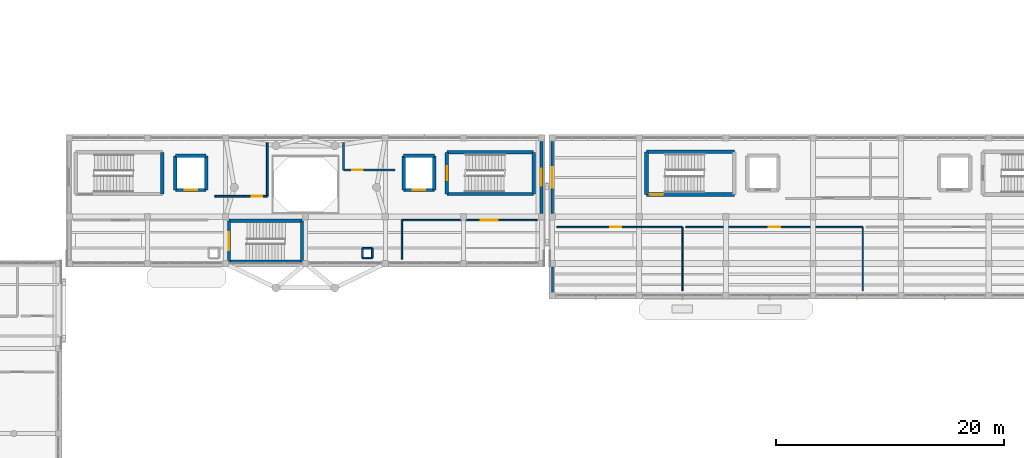
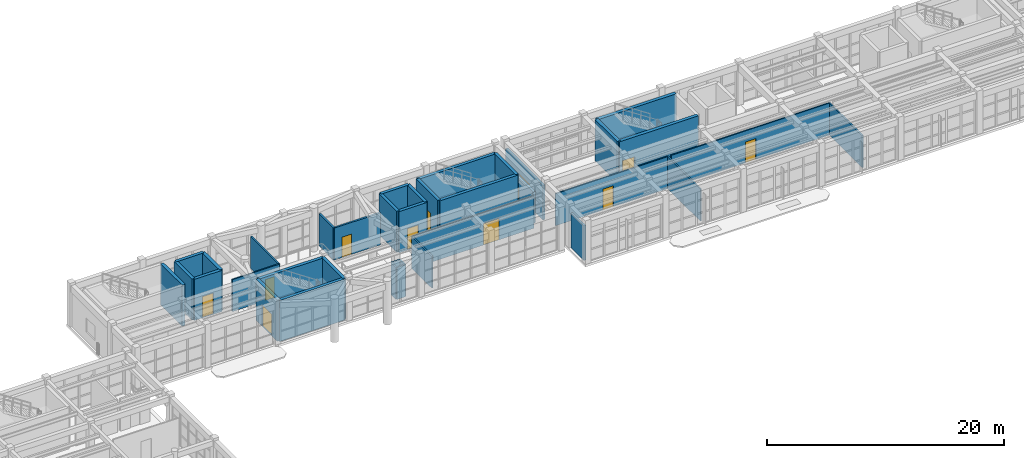
# One storey, part 69 of 85: 37 walls, 10 doors, 2 windows, 12 openings.
"""IFC4 building model written with IfcOpenShell, lengths in metres."""

from ifc_helpers import new_model, si_unit, direction, frame, frame_2d, origin, place, context, subcontext, project, spatial, rectangle, extrude, material, layer, layer_set, type_object, element, fill, save


model = new_model("IFC4")

# Units and contexts
model_context = context("Model", 3, precision=1e-05, world=origin(), true_north=direction((0.0, 1.0)))
body_context = subcontext(model_context, "Body", "Model", "MODEL_VIEW")
ifc_project = project(units=[si_unit("LENGTHUNIT", "METRE"), si_unit("AREAUNIT", "SQUARE_METRE"), si_unit("VOLUMEUNIT", "CUBIC_METRE"), si_unit("PLANEANGLEUNIT", "RADIAN"), si_unit("MASSUNIT", "GRAM", prefix="KILO")], contexts=[model_context])

# Site, building, storey
site_placement = place(None, origin())
site = spatial("IfcSite", under=ifc_project, at=site_placement, CompositionType="ELEMENT")
building_placement = place(site_placement, origin())
building = spatial("IfcBuilding", under=site, at=building_placement, Name="Candilejo Ridge Gondola Terminal", CompositionType="ELEMENT")
storey_placement = place(building_placement, frame((0.0, 0.0, 4.5)))
storey = spatial("IfcBuildingStorey", under=building, at=storey_placement, Name="L01", CompositionType="ELEMENT", Elevation=4.5)

# Wall
ifc_material_1 = material(Name="Concrete C20/25 masonry blockwork (f'm 14 MPa)", Category="masonry")
ifc_layer_1 = layer(ifc_material_1, 0.195068359375)
ifc_layer_set_1 = layer_set([ifc_layer_1], Name="ARC-EXT-WALL-195")
wall_type_1 = type_object("IfcWallType", Name="ARC-EXT-WALL-195", PredefinedType="STANDARD", material=ifc_layer_set_1)
wall_1_placement = place(storey_placement, frame((87.0, 23.199951171875, 0.0), z_axis=(0.0, 0.0, 1.0), x_axis=(0.0, 1.0, 0.0)))
element("IfcWall", 1, at=wall_1_placement, inside=storey, type_object=wall_type_1, Name="Exterior facade wall EW-V3-L01-077", PredefinedType="STANDARD", context=body_context, shape_type="SweptSolid", body=[
    extrude(rectangle(XDim=2.199951171875, YDim=0.195068359375, at=frame_2d((1.10009765625, 0.0))), origin(), (0.0, 0.0, 1.0), 3.580078125),
])

# Wall, opening, window
ifc_material_2 = material(Name="Concrete C20/25 masonry blockwork (f'm 14 MPa)", Category="masonry")
ifc_layer_2 = layer(ifc_material_2, 0.219970703125)
ifc_layer_set_2 = layer_set([ifc_layer_2], Name="ARC-EXT-WALL-220")
wall_type_2 = type_object("IfcWallType", Name="ARC-EXT-WALL-220", PredefinedType="STANDARD", material=ifc_layer_set_2)
wall_2_placement = place(storey_placement, frame((87.0, 30.10009765625, 0.0), z_axis=(0.0, 0.0, 1.0), x_axis=(0.0, 1.0, 0.0)))
wall_2 = element("IfcWall", 2, at=wall_2_placement, inside=storey, type_object=wall_type_2, Name="Exterior facade wall EW-V3-L01-075", PredefinedType="STANDARD", context=body_context, shape_type="SweptSolid", body=[
    extrude(rectangle(XDim=6.2998046875, YDim=0.219970703125, at=frame_2d((3.14990234375, 0.0))), origin(), (0.0, 0.0, 1.0), 3.580078125),
])
opening_1_placement = place(wall_2_placement, frame((2.25, 0.0, 0.8798828125)))
opening_1 = element("IfcOpeningElement", 3, at=opening_1_placement, cuts=wall_2, Name="Opening WN-02", PredefinedType="OPENING", context=body_context, shape_type="SweptSolid", body=[
    extrude(rectangle(XDim=1.800048828125, YDim=1.449951171875, at=frame_2d((0.89990234375, 0.72509765625))), frame((0.0, 0.119873046875, 0.0), z_axis=(0.0, -1.0, 0.0), x_axis=(1.0, 0.0, 0.0)), (0.0, 0.0, 1.0), 0.239990234375),
])
ifc_material_3 = material(Name="Low-E laminated double glazing 6+12A+6+1.52PVB+6 mm", Category="glass")
window_type_1 = type_object("IfcWindowType", Name="ARC-WIN-1800X1650", PartitioningType="SINGLE_PANEL", PredefinedType="WINDOW", material=ifc_material_3)
window_1_placement = place(opening_1_placement, origin())
window_1 = element("IfcWindow", 4, at=window_1_placement, inside=storey, type_object=window_type_1, Name="Window WIN-035", OverallHeight=1.449951171875, OverallWidth=1.800048828125, PartitioningType="SINGLE_PANEL", PredefinedType="WINDOW", context=body_context, shape_type="SweptSolid", body=[
    extrude(rectangle(XDim=1.800048828125, YDim=1.449951171875, at=frame_2d((0.89990234375, 0.72509765625))), frame((0.0, 0.030029296875, 0.0), z_axis=(0.0, -1.0, 0.0), x_axis=(1.0, 0.0, 0.0)), (0.0, 0.0, 1.0), 0.06005859375),
])
fill(opening_1, window_1)

ifc_material_4 = material(Name="Concrete C20/25 masonry blockwork (f'm 14 MPa)", Category="masonry")
ifc_layer_3 = layer(ifc_material_4, 0.235107421875)
ifc_layer_set_3 = layer_set([ifc_layer_3], Name="ARC-EXT-WALL-235")
wall_type_3 = type_object("IfcWallType", Name="ARC-EXT-WALL-235", PredefinedType="STANDARD", material=ifc_layer_set_3)
wall_3_placement = place(storey_placement, frame((86.050048828125, 36.39990234375, 0.0), z_axis=(0.0, 0.0, 1.0), x_axis=(0.0, -1.0, 0.0)))
wall_3 = element("IfcWall", 5, at=wall_3_placement, inside=storey, type_object=wall_type_3, Name="Exterior facade wall EW-V2-L01-043", PredefinedType="STANDARD", context=body_context, shape_type="SweptSolid", body=[
    extrude(rectangle(XDim=6.2998046875, YDim=0.235107421875, at=frame_2d((3.14990234375, 0.0))), origin(), (0.0, 0.0, 1.0), 3.239990234375),
])
opening_2_placement = place(wall_3_placement, frame((2.39990234375, 0.0, 1.0)))
opening_2 = element("IfcOpeningElement", 6, at=opening_2_placement, cuts=wall_3, Name="Opening WN-03B", PredefinedType="OPENING", context=body_context, shape_type="SweptSolid", body=[
    extrude(rectangle(XDim=1.5, YDim=1.25, at=frame_2d((0.75, 0.625))), frame((0.0, 0.12744140625, 0.0), z_axis=(0.0, -1.0, 0.0), x_axis=(1.0, 0.0, 0.0)), (0.0, 0.0, 1.0), 0.255126953125),
])
ifc_material_5 = material(Name="Low-E laminated double glazing 6+12A+6+1.52PVB+6 mm", Category="glass")
window_type_2 = type_object("IfcWindowType", Name="ARC-WIN-1500X1250", PartitioningType="SINGLE_PANEL", PredefinedType="WINDOW", material=ifc_material_5)
window_2_placement = place(opening_2_placement, origin())
window_2 = element("IfcWindow", 7, at=window_2_placement, inside=storey, type_object=window_type_2, Name="Window WIN-018", OverallHeight=1.25, OverallWidth=1.5, PartitioningType="SINGLE_PANEL", PredefinedType="WINDOW", context=body_context, shape_type="SweptSolid", body=[
    extrude(rectangle(XDim=1.5, YDim=1.25, at=frame_2d((0.75, 0.625))), frame((0.0, 0.030029296875, 0.0), z_axis=(0.0, -1.0, 0.0), x_axis=(1.0, 0.0, 0.0)), (0.0, 0.0, 1.0), 0.06005859375),
])
fill(opening_2, window_2)

# Wall, opening, door
ifc_material_6 = material(Name="Gypsum board Type X acoustic partition (2x15.9 mm)", Category="gypsum")
ifc_layer_4 = layer(ifc_material_6, 0.125)
ifc_layer_set_4 = layer_set([ifc_layer_4], Name="ARC-PART-GYP125")
wall_type_4 = type_object("IfcWallType", Name="ARC-PART-GYP125", PredefinedType="PARTITIONING", material=ifc_layer_set_4)
wall_4_placement = place(storey_placement, frame((87.39990234375, 28.89990234375, 0.0), z_axis=(0.0, 0.0, 1.0), x_axis=(1.0, 0.0, 0.0)))
wall_4 = element("IfcWall", 8, at=wall_4_placement, inside=storey, type_object=wall_type_4, Name="Interior partition PT-V3-L01-0049", PredefinedType="PARTITIONING", context=body_context, shape_type="SweptSolid", body=[
    extrude(rectangle(XDim=11.0, YDim=0.125, at=frame_2d((5.5, 0.0))), origin(), (0.0, 0.0, 1.0), 3.300048828125),
])
opening_3_placement = place(wall_4_placement, frame((4.64990234375, 0.0, 0.0)))
opening_3 = element("IfcOpeningElement", 9, at=opening_3_placement, cuts=wall_4, Name="Opening ID-01", PredefinedType="OPENING", context=body_context, shape_type="SweptSolid", body=[
    extrude(rectangle(XDim=1.0, YDim=2.14990234375, at=frame_2d((0.5, 1.074951171875))), frame((0.0, 0.072509765625, 0.0), z_axis=(0.0, -1.0, 0.0), x_axis=(1.0, 0.0, 0.0)), (0.0, 0.0, 1.0), 0.14501953125),
])
ifc_material_7 = material(Name="Solid-core fire-rated hardwood door leaf", Category="wood")
door_type_1 = type_object("IfcDoorType", Name="ARC-DOOR-INT-1000", OperationType="NOTDEFINED", PredefinedType="DOOR", material=ifc_material_7)
door_1_placement = place(opening_3_placement, origin())
door_1 = element("IfcDoor", 10, at=door_1_placement, inside=storey, type_object=door_type_1, Name="Interior door IDR-0029 (113)", OperationType="SINGLE_SWING_LEFT", OverallHeight=2.14990234375, OverallWidth=1.0, PredefinedType="DOOR", context=body_context, shape_type="SweptSolid", body=[
    extrude(rectangle(XDim=1.0, YDim=2.14990234375, at=frame_2d((0.5, 1.074951171875))), frame((0.0, 0.02490234375, 0.0), z_axis=(0.0, -1.0, 0.0), x_axis=(1.0, 0.0, 0.0)), (0.0, 0.0, 1.0), 0.050048828125),
])
fill(opening_3, door_1)

# Wall
wall_5_placement = place(storey_placement, frame((98.39990234375, 23.300048828125, 0.0), z_axis=(0.0, 0.0, 1.0), x_axis=(0.0, 1.0, 0.0)))
element("IfcWall", 11, at=wall_5_placement, inside=storey, type_object=wall_type_4, Name="Interior partition PT-V3-L01-0050", PredefinedType="PARTITIONING", context=body_context, shape_type="SweptSolid", body=[
    extrude(rectangle(XDim=5.599853515625, YDim=0.125, at=frame_2d((2.7998046875, 0.0))), origin(), (0.0, 0.0, 1.0), 3.300048828125),
])

# Wall, opening, door
wall_6_placement = place(storey_placement, frame((98.699951171875, 28.89990234375, 0.0), z_axis=(0.0, 0.0, 1.0), x_axis=(1.0, 0.0, 0.0)))
wall_6 = element("IfcWall", 12, at=wall_6_placement, inside=storey, type_object=wall_type_4, Name="Interior partition PT-V3-L01-0051", PredefinedType="PARTITIONING", context=body_context, shape_type="SweptSolid", body=[
    extrude(rectangle(XDim=15.5, YDim=0.125, at=frame_2d((7.75, 0.0))), origin(), (0.0, 0.0, 1.0), 3.300048828125),
])
opening_4_placement = place(wall_6_placement, frame((7.25, 0.0, 0.0)))
opening_4 = element("IfcOpeningElement", 13, at=opening_4_placement, cuts=wall_6, Name="Opening ID-01", PredefinedType="OPENING", context=body_context, shape_type="SweptSolid", body=[
    extrude(rectangle(XDim=1.0, YDim=2.14990234375, at=frame_2d((0.5, 1.074951171875))), frame((0.0, 0.072509765625, 0.0), z_axis=(0.0, -1.0, 0.0), x_axis=(1.0, 0.0, 0.0)), (0.0, 0.0, 1.0), 0.14501953125),
])
door_2_placement = place(opening_4_placement, origin())
door_2 = element("IfcDoor", 14, at=door_2_placement, inside=storey, type_object=door_type_1, Name="Interior door IDR-0030 (114)", OperationType="SINGLE_SWING_RIGHT", OverallHeight=2.14990234375, OverallWidth=1.0, PredefinedType="DOOR", context=body_context, shape_type="SweptSolid", body=[
    extrude(rectangle(XDim=1.0, YDim=2.14990234375, at=frame_2d((0.5, 1.074951171875))), frame((0.0, 0.02490234375, 0.0), z_axis=(0.0, -1.0, 0.0), x_axis=(1.0, 0.0, 0.0)), (0.0, 0.0, 1.0), 0.050048828125),
])
fill(opening_4, door_2)

# Wall
wall_7_placement = place(storey_placement, frame((114.199951171875, 23.300048828125, 0.0), z_axis=(0.0, 0.0, 1.0), x_axis=(0.0, 1.0, 0.0)))
element("IfcWall", 15, at=wall_7_placement, inside=storey, type_object=wall_type_4, Name="Interior partition PT-V3-L01-0052", PredefinedType="PARTITIONING", context=body_context, shape_type="SweptSolid", body=[
    extrude(rectangle(XDim=5.599853515625, YDim=0.125, at=frame_2d((2.7998046875, 0.0))), origin(), (0.0, 0.0, 1.0), 3.300048828125),
])

# Wall, opening, door
ifc_material_8 = material(Name="Gypsum board Type X acoustic partition (2x15.9 mm)", Category="gypsum")
ifc_layer_5 = layer(ifc_material_8, 0.135009765625)
ifc_layer_set_5 = layer_set([ifc_layer_5], Name="ARC-PART-GYP135")
wall_type_5 = type_object("IfcWallType", Name="ARC-PART-GYP135", PredefinedType="PARTITIONING", material=ifc_layer_set_5)
wall_8_placement = place(storey_placement, frame((73.800048828125, 29.5, 0.0), z_axis=(0.0, 0.0, 1.0), x_axis=(1.0, 0.0, 0.0)))
wall_8 = element("IfcWall", 16, at=wall_8_placement, inside=storey, type_object=wall_type_5, Name="Interior partition PT-V2-L01-0043", PredefinedType="PARTITIONING", context=body_context, shape_type="SweptSolid", body=[
    extrude(rectangle(XDim=11.849853515625, YDim=0.135009765625, at=frame_2d((5.9248046875, 0.0))), origin(), (0.0, 0.0, 1.0), 3.300048828125),
])
opening_5_placement = place(wall_8_placement, frame((6.925048828125, 0.0, 0.0)))
opening_5 = element("IfcOpeningElement", 17, at=opening_5_placement, cuts=wall_8, Name="Opening ID-03B", PredefinedType="OPENING", context=body_context, shape_type="SweptSolid", body=[
    extrude(rectangle(XDim=1.5, YDim=2.199951171875, at=frame_2d((0.75, 1.10009765625))), frame((0.0, 0.077392578125, 0.0), z_axis=(0.0, -1.0, 0.0), x_axis=(1.0, 0.0, 0.0)), (0.0, 0.0, 1.0), 0.155029296875),
])
ifc_material_9 = material(Name="Solid-core fire-rated hardwood door leaf", Category="wood")
door_type_2 = type_object("IfcDoorType", Name="ARC-DOOR-DBL-1500", OperationType="NOTDEFINED", PredefinedType="DOOR", material=ifc_material_9)
door_3_placement = place(opening_5_placement, origin())
door_3 = element("IfcDoor", 18, at=door_3_placement, inside=storey, type_object=door_type_2, Name="Interior door IDR-0026 (110)", OperationType="DOUBLE_DOOR_SINGLE_SWING", OverallHeight=2.199951171875, OverallWidth=1.5, PredefinedType="DOOR", context=body_context, shape_type="SweptSolid", body=[
    extrude(rectangle(XDim=1.5, YDim=2.199951171875, at=frame_2d((0.75, 1.10009765625))), frame((0.0, 0.02490234375, 0.0), z_axis=(0.0, -1.0, 0.0), x_axis=(1.0, 0.0, 0.0)), (0.0, 0.0, 1.0), 0.050048828125),
])
fill(opening_5, door_3)

# Wall
wall_9_placement = place(storey_placement, frame((73.800048828125, 26.10009765625, 0.0), z_axis=(0.0, 0.0, 1.0), x_axis=(0.0, 1.0, 0.0)))
element("IfcWall", 19, at=wall_9_placement, inside=storey, type_object=wall_type_5, Name="Interior partition PT-V2-L01-0044", PredefinedType="PARTITIONING", context=body_context, shape_type="SweptSolid", body=[
    extrude(rectangle(XDim=3.39990234375, YDim=0.135009765625, at=frame_2d((1.699951171875, 0.0))), origin(), (0.0, 0.0, 1.0), 3.300048828125),
])

# Wall, opening, door
wall_10_placement = place(storey_placement, frame((57.39990234375, 31.60009765625, 0.0), z_axis=(0.0, 0.0, 1.0), x_axis=(1.0, 0.0, 0.0)))
wall_10 = element("IfcWall", 20, at=wall_10_placement, inside=storey, type_object=wall_type_5, Name="Interior partition PT-V2-L01-0045", PredefinedType="PARTITIONING", context=body_context, shape_type="SweptSolid", body=[
    extrude(rectangle(XDim=4.60009765625, YDim=0.135009765625, at=frame_2d((2.300048828125, 0.0))), origin(), (0.0, 0.0, 1.0), 3.300048828125),
])
opening_6_placement = place(wall_10_placement, frame((3.25, 0.0, 0.0)))
opening_6 = element("IfcOpeningElement", 21, at=opening_6_placement, cuts=wall_10, Name="Opening ID-02", PredefinedType="OPENING", context=body_context, shape_type="SweptSolid", body=[
    extrude(rectangle(XDim=0.89990234375, YDim=2.14990234375, at=frame_2d((0.449951171875, 1.074951171875))), frame((0.0, 0.077392578125, 0.0), z_axis=(0.0, -1.0, 0.0), x_axis=(1.0, 0.0, 0.0)), (0.0, 0.0, 1.0), 0.155029296875),
])
ifc_material_10 = material(Name="Solid-core fire-rated hardwood door leaf", Category="wood")
door_type_3 = type_object("IfcDoorType", Name="ARC-DOOR-INT-0900", OperationType="NOTDEFINED", PredefinedType="DOOR", material=ifc_material_10)
door_4_placement = place(opening_6_placement, origin())
door_4 = element("IfcDoor", 22, at=door_4_placement, inside=storey, type_object=door_type_3, Name="Interior door IDR-0027 (111)", OperationType="SINGLE_SWING_LEFT", OverallHeight=2.14990234375, OverallWidth=0.89990234375, PredefinedType="DOOR", context=body_context, shape_type="SweptSolid", body=[
    extrude(rectangle(XDim=0.89990234375, YDim=2.14990234375, at=frame_2d((0.449951171875, 1.074951171875))), frame((0.0, 0.02490234375, 0.0), z_axis=(0.0, -1.0, 0.0), x_axis=(1.0, 0.0, 0.0)), (0.0, 0.0, 1.0), 0.050048828125),
])
fill(opening_6, door_4)

# Walls
wall_11_placement = place(storey_placement, frame((62.0, 31.60009765625, 0.0), z_axis=(0.0, 0.0, 1.0), x_axis=(0.0, 1.0, 0.0)))
element("IfcWall", 23, at=wall_11_placement, inside=storey, type_object=wall_type_5, Name="Interior partition PT-V2-L01-0046", PredefinedType="PARTITIONING", context=body_context, shape_type="SweptSolid", body=[
    extrude(rectangle(XDim=4.699951171875, YDim=0.135009765625, at=frame_2d((2.35009765625, 0.0))), origin(), (0.0, 0.0, 1.0), 3.300048828125),
])
ifc_material_11 = material(Name="Gypsum board Type X acoustic partition (2x15.9 mm)", Category="gypsum")
ifc_layer_6 = layer(ifc_material_11, 0.14990234375)
ifc_layer_set_6 = layer_set([ifc_layer_6], Name="ARC-PART-GYP150-EI60")
wall_type_6 = type_object("IfcWallType", Name="ARC-PART-GYP150-EI60", PredefinedType="PARTITIONING", material=ifc_layer_set_6)
for number, where, z_axis, x_axis, name in (
    (24, (70.35009765625, 26.199951171875, 0.0), (0.0, 0.0, 1.0), (1.0, 0.0, 0.0), "Riser shaft wall RIS-V2-L01E L01-S"),
    (25, (70.35009765625, 27.050048828125, 0.0), (0.0, 0.0, 1.0), (1.0, 0.0, 0.0), "Riser shaft wall RIS-V2-L01E L01-N"),
):
    element("IfcWall", number, at=place(storey_placement, frame(where, z_axis=z_axis, x_axis=x_axis)), inside=storey, type_object=wall_type_6, Name=name, PredefinedType="PARTITIONING", context=body_context, shape_type="SweptSolid", body=[
        extrude(rectangle(XDim=0.849853515625, YDim=0.14990234375, at=frame_2d((0.4248046875, 0.0))), origin(), (0.0, 0.0, 1.0), 3.300048828125),
    ])
for number, where, z_axis, x_axis, name in (
    (26, (70.35009765625, 26.199951171875, 0.0), (0.0, 0.0, 1.0), (0.0, 1.0, 0.0), "Riser shaft wall RIS-V2-L01E L01-W"),
    (27, (71.199951171875, 26.199951171875, 0.0), (0.0, 0.0, 1.0), (0.0, 1.0, 0.0), "Riser shaft wall RIS-V2-L01E L01-E"),
):
    element("IfcWall", number, at=place(storey_placement, frame(where, z_axis=z_axis, x_axis=x_axis)), inside=storey, type_object=wall_type_6, Name=name, PredefinedType="PARTITIONING", context=body_context, shape_type="SweptSolid", body=[
        extrude(rectangle(XDim=0.85009765625, YDim=0.14990234375, at=frame_2d((0.425048828125, 0.0))), origin(), (0.0, 0.0, 1.0), 3.300048828125),
    ])

# Wall, opening, door
ifc_material_12 = material(Name="Concrete C20/25 masonry blockwork (f'm 14 MPa)", Category="masonry")
ifc_layer_7 = layer(ifc_material_12, 0.179931640625)
ifc_layer_set_7 = layer_set([ifc_layer_7], Name="ARC-WALL-PLUMBING-180")
wall_type_7 = type_object("IfcWallType", Name="ARC-WALL-PLUMBING-180", PredefinedType="PLUMBINGWALL", material=ifc_layer_set_7)
wall_12_placement = place(storey_placement, frame((68.699951171875, 33.89990234375, 0.0), z_axis=(0.0, 0.0, 1.0), x_axis=(1.0, 0.0, 0.0)))
wall_12 = element("IfcWall", 28, at=wall_12_placement, inside=storey, type_object=wall_type_7, Name="Interior partition PT-V2-L01-0047", PredefinedType="PLUMBINGWALL", context=body_context, shape_type="SweptSolid", body=[
    extrude(rectangle(XDim=4.5, YDim=0.179931640625, at=frame_2d((2.25, 0.0))), origin(), (0.0, 0.0, 1.0), 3.300048828125),
])
opening_7_placement = place(wall_12_placement, frame((0.739990234375, 0.0, 0.0)))
opening_7 = element("IfcOpeningElement", 29, at=opening_7_placement, cuts=wall_12, Name="Opening ID-04A", PredefinedType="OPENING", context=body_context, shape_type="SweptSolid", body=[
    extrude(rectangle(XDim=0.919921875, YDim=2.10009765625, at=frame_2d((0.4599609375, 1.050048828125))), frame((0.0, 0.099853515625, 0.0), z_axis=(0.0, -1.0, 0.0), x_axis=(1.0, 0.0, 0.0)), (0.0, 0.0, 1.0), 0.199951171875),
])
ifc_material_13 = material(Name="Solid-core fire-rated hardwood door leaf", Category="wood")
door_type_4 = type_object("IfcDoorType", Name="ARC-DOOR-WC-0920", OperationType="NOTDEFINED", PredefinedType="DOOR", material=ifc_material_13)
door_5_placement = place(opening_7_placement, origin())
door_5 = element("IfcDoor", 30, at=door_5_placement, inside=storey, type_object=door_type_4, Name="Interior door IDR-0028 (112)", OperationType="SINGLE_SWING_RIGHT", OverallHeight=2.10009765625, OverallWidth=0.919921875, PredefinedType="DOOR", context=body_context, shape_type="SweptSolid", body=[
    extrude(rectangle(XDim=0.919921875, YDim=2.10009765625, at=frame_2d((0.4599609375, 1.050048828125))), frame((0.0, 0.02490234375, 0.0), z_axis=(0.0, -1.0, 0.0), x_axis=(1.0, 0.0, 0.0)), (0.0, 0.0, 1.0), 0.050048828125),
])
fill(opening_7, door_5)

# Walls
wall_13_placement = place(storey_placement, frame((68.699951171875, 33.89990234375, 0.0), z_axis=(0.0, 0.0, 1.0), x_axis=(0.0, 1.0, 0.0)))
element("IfcWall", 31, at=wall_13_placement, inside=storey, type_object=wall_type_7, Name="Interior partition PT-V2-L01-0048", PredefinedType="PLUMBINGWALL", context=body_context, shape_type="SweptSolid", body=[
    extrude(rectangle(XDim=2.400146484375, YDim=0.179931640625, at=frame_2d((1.2001953125, 0.0))), origin(), (0.0, 0.0, 1.0), 3.300048828125),
])
ifc_material_14 = material(Name="Concrete f'c 35 MPa (C35/45)", Category="concrete")
ifc_layer_8 = layer(ifc_material_14, 0.300048828125)
ifc_layer_set_8 = layer_set([ifc_layer_8], Name="STR-CORE-WALL-300")
wall_type_8 = type_object("IfcWallType", Name="STR-CORE-WALL-300", PredefinedType="SHEAR", material=ifc_layer_set_8)
wall_14_placement = place(storey_placement, frame((52.800048828125, 31.800048828125, 0.0), z_axis=(0.0, 0.0, 1.0), x_axis=(0.0, 1.0, 0.0)))
element("IfcWall", 32, at=wall_14_placement, inside=storey, type_object=wall_type_8, Name="Core stair shear wall SW-C-V2A-L01-ST-E", PredefinedType="SHEAR", context=body_context, shape_type="SweptSolid", body=[
    extrude(rectangle(XDim=3.64990234375, YDim=0.300048828125, at=frame_2d((1.824951171875, 0.0))), origin(), (0.0, 0.0, 1.0), 4.25),
])

# Wall, opening, door
wall_15_placement = place(storey_placement, frame((53.949951171875, 32.14990234375, 0.0), z_axis=(0.0, 0.0, 1.0), x_axis=(1.0, 0.0, 0.0)))
wall_15 = element("IfcWall", 33, at=wall_15_placement, inside=storey, type_object=wall_type_8, Name="Lift shaft shear wall SW-C-V2A-L01-LF-S", PredefinedType="SHEAR", context=body_context, shape_type="SweptSolid", body=[
    extrude(rectangle(XDim=2.699951171875, YDim=0.300048828125, at=frame_2d((1.35009765625, 0.0))), origin(), (0.0, 0.0, 1.0), 4.25),
])
opening_8_placement = place(wall_15_placement, frame((0.800048828125, 0.0, 0.0)))
opening_8 = element("IfcOpeningElement", 34, at=opening_8_placement, cuts=wall_15, Name="Opening LD-01", PredefinedType="OPENING", context=body_context, shape_type="SweptSolid", body=[
    extrude(rectangle(XDim=1.10009765625, YDim=2.199951171875, at=frame_2d((0.550048828125, 1.10009765625))), frame((0.0, 0.159912109375, 0.0), z_axis=(0.0, -1.0, 0.0), x_axis=(1.0, 0.0, 0.0)), (0.0, 0.0, 1.0), 0.320068359375),
])
ifc_material_15 = material(Name="Brushed stainless steel AISI 316", Category="steel")
door_type_5 = type_object("IfcDoorType", Name="ARC-LIFT-DOOR-1100", OperationType="NOTDEFINED", PredefinedType="DOOR", material=ifc_material_15)
door_6_placement = place(opening_8_placement, origin())
door_6 = element("IfcDoor", 35, at=door_6_placement, inside=storey, type_object=door_type_5, Name="Elevator landing door LDR-008", OperationType="SLIDING_TO_LEFT", OverallHeight=2.199951171875, OverallWidth=1.10009765625, PredefinedType="DOOR", context=body_context, shape_type="SweptSolid", body=[
    extrude(rectangle(XDim=1.10009765625, YDim=2.199951171875, at=frame_2d((0.550048828125, 1.10009765625))), frame((0.0, 0.02490234375, 0.0), z_axis=(0.0, -1.0, 0.0), x_axis=(1.0, 0.0, 0.0)), (0.0, 0.0, 1.0), 0.050048828125),
])
fill(opening_8, door_6)

# Walls
wall_16_placement = place(storey_placement, frame((53.949951171875, 35.14990234375, 0.0), z_axis=(0.0, 0.0, 1.0), x_axis=(1.0, 0.0, 0.0)))
element("IfcWall", 36, at=wall_16_placement, inside=storey, type_object=wall_type_8, Name="Lift shaft shear wall SW-C-V2A-L01-LF-N", PredefinedType="SHEAR", context=body_context, shape_type="SweptSolid", body=[
    extrude(rectangle(XDim=2.699951171875, YDim=0.300048828125, at=frame_2d((1.35009765625, 0.0))), origin(), (0.0, 0.0, 1.0), 4.25),
])
for number, where, z_axis, x_axis, name in (
    (37, (53.949951171875, 32.14990234375, 0.0), (0.0, 0.0, 1.0), (0.0, 1.0, 0.0), "Lift shaft shear wall SW-C-V2A-L01-LF-W"),
    (38, (56.64990234375, 32.14990234375, 0.0), (0.0, 0.0, 1.0), (0.0, 1.0, 0.0), "Lift shaft shear wall SW-C-V2A-L01-LF-E"),
):
    element("IfcWall", number, at=place(storey_placement, frame(where, z_axis=z_axis, x_axis=x_axis)), inside=storey, type_object=wall_type_8, Name=name, PredefinedType="SHEAR", context=body_context, shape_type="SweptSolid", body=[
        extrude(rectangle(XDim=3.0, YDim=0.300048828125, at=frame_2d((1.5, 0.0))), origin(), (0.0, 0.0, 1.0), 4.25),
    ])
for number, where, z_axis, x_axis, name in (
    (39, (77.75, 31.800048828125, 0.0), (0.0, 0.0, 1.0), (1.0, 0.0, 0.0), "Core stair shear wall SW-C-V2B-L01-ST-S"),
    (40, (85.35009765625, 35.449951171875, 0.0), (0.0, 0.0, 1.0), (-1.0, 0.0, 0.0), "Core stair shear wall SW-C-V2B-L01-ST-N"),
):
    element("IfcWall", number, at=place(storey_placement, frame(where, z_axis=z_axis, x_axis=x_axis)), inside=storey, type_object=wall_type_8, Name=name, PredefinedType="SHEAR", context=body_context, shape_type="SweptSolid", body=[
        extrude(rectangle(XDim=7.60009765625, YDim=0.300048828125, at=frame_2d((3.800048828125, 0.0))), origin(), (0.0, 0.0, 1.0), 4.25),
    ])

# Wall, opening, door
wall_17_placement = place(storey_placement, frame((77.75, 35.449951171875, 0.0), z_axis=(0.0, 0.0, 1.0), x_axis=(0.0, -1.0, 0.0)))
wall_17 = element("IfcWall", 41, at=wall_17_placement, inside=storey, type_object=wall_type_8, Name="Core stair shear wall SW-C-V2B-L01-ST-W", PredefinedType="SHEAR", context=body_context, shape_type="SweptSolid", body=[
    extrude(rectangle(XDim=3.64990234375, YDim=0.300048828125, at=frame_2d((1.824951171875, 0.0))), origin(), (0.0, 0.0, 1.0), 4.25),
])
opening_9_placement = place(wall_17_placement, frame((1.22509765625, 0.0, 0.0)))
opening_9 = element("IfcOpeningElement", 42, at=opening_9_placement, cuts=wall_17, Name="Opening FD-01", PredefinedType="OPENING", context=body_context, shape_type="SweptSolid", body=[
    extrude(rectangle(XDim=1.199951171875, YDim=2.199951171875, at=frame_2d((0.60009765625, 1.10009765625))), frame((0.0, 0.159912109375, 0.0), z_axis=(0.0, -1.0, 0.0), x_axis=(1.0, 0.0, 0.0)), (0.0, 0.0, 1.0), 0.320068359375),
])
ifc_material_16 = material(Name="Steel ASTM A653 Grade 33 hollow-metal door", Category="steel")
door_type_6 = type_object("IfcDoorType", Name="ARC-DOOR-FD90-1200", OperationType="NOTDEFINED", PredefinedType="DOOR", material=ifc_material_16)
door_7_placement = place(opening_9_placement, origin())
door_7 = element("IfcDoor", 43, at=door_7_placement, inside=storey, type_object=door_type_6, Name="Fire stair door SDR-012", OperationType="SINGLE_SWING_RIGHT", OverallHeight=2.199951171875, OverallWidth=1.199951171875, PredefinedType="DOOR", context=body_context, shape_type="SweptSolid", body=[
    extrude(rectangle(XDim=1.199951171875, YDim=2.199951171875, at=frame_2d((0.60009765625, 1.10009765625))), frame((0.0, 0.02490234375, 0.0), z_axis=(0.0, -1.0, 0.0), x_axis=(1.0, 0.0, 0.0)), (0.0, 0.0, 1.0), 0.050048828125),
])
fill(opening_9, door_7)

# Wall
wall_18_placement = place(storey_placement, frame((85.35009765625, 31.800048828125, 0.0), z_axis=(0.0, 0.0, 1.0), x_axis=(0.0, 1.0, 0.0)))
element("IfcWall", 44, at=wall_18_placement, inside=storey, type_object=wall_type_8, Name="Core stair shear wall SW-C-V2B-L01-ST-E", PredefinedType="SHEAR", context=body_context, shape_type="SweptSolid", body=[
    extrude(rectangle(XDim=3.64990234375, YDim=0.300048828125, at=frame_2d((1.824951171875, 0.0))), origin(), (0.0, 0.0, 1.0), 4.25),
])

# Wall, opening, door
wall_19_placement = place(storey_placement, frame((73.949951171875, 32.14990234375, 0.0), z_axis=(0.0, 0.0, 1.0), x_axis=(1.0, 0.0, 0.0)))
wall_19 = element("IfcWall", 45, at=wall_19_placement, inside=storey, type_object=wall_type_8, Name="Lift shaft shear wall SW-C-V2B-L01-LF-S", PredefinedType="SHEAR", context=body_context, shape_type="SweptSolid", body=[
    extrude(rectangle(XDim=2.699951171875, YDim=0.300048828125, at=frame_2d((1.35009765625, 0.0))), origin(), (0.0, 0.0, 1.0), 4.25),
])
opening_10_placement = place(wall_19_placement, frame((0.800048828125, 0.0, 0.0)))
opening_10 = element("IfcOpeningElement", 46, at=opening_10_placement, cuts=wall_19, Name="Opening LD-01", PredefinedType="OPENING", context=body_context, shape_type="SweptSolid", body=[
    extrude(rectangle(XDim=1.10009765625, YDim=2.199951171875, at=frame_2d((0.550048828125, 1.10009765625))), frame((0.0, 0.159912109375, 0.0), z_axis=(0.0, -1.0, 0.0), x_axis=(1.0, 0.0, 0.0)), (0.0, 0.0, 1.0), 0.320068359375),
])
door_8_placement = place(opening_10_placement, origin())
door_8 = element("IfcDoor", 47, at=door_8_placement, inside=storey, type_object=door_type_5, Name="Elevator landing door LDR-012", OperationType="SLIDING_TO_LEFT", OverallHeight=2.199951171875, OverallWidth=1.10009765625, PredefinedType="DOOR", context=body_context, shape_type="SweptSolid", body=[
    extrude(rectangle(XDim=1.10009765625, YDim=2.199951171875, at=frame_2d((0.550048828125, 1.10009765625))), frame((0.0, 0.02490234375, 0.0), z_axis=(0.0, -1.0, 0.0), x_axis=(1.0, 0.0, 0.0)), (0.0, 0.0, 1.0), 0.050048828125),
])
fill(opening_10, door_8)

# Walls
wall_20_placement = place(storey_placement, frame((73.949951171875, 35.14990234375, 0.0), z_axis=(0.0, 0.0, 1.0), x_axis=(1.0, 0.0, 0.0)))
element("IfcWall", 48, at=wall_20_placement, inside=storey, type_object=wall_type_8, Name="Lift shaft shear wall SW-C-V2B-L01-LF-N", PredefinedType="SHEAR", context=body_context, shape_type="SweptSolid", body=[
    extrude(rectangle(XDim=2.699951171875, YDim=0.300048828125, at=frame_2d((1.35009765625, 0.0))), origin(), (0.0, 0.0, 1.0), 4.25),
])
for number, where, z_axis, x_axis, name in (
    (49, (73.949951171875, 32.14990234375, 0.0), (0.0, 0.0, 1.0), (0.0, 1.0, 0.0), "Lift shaft shear wall SW-C-V2B-L01-LF-W"),
    (50, (76.64990234375, 32.14990234375, 0.0), (0.0, 0.0, 1.0), (0.0, 1.0, 0.0), "Lift shaft shear wall SW-C-V2B-L01-LF-E"),
):
    element("IfcWall", number, at=place(storey_placement, frame(where, z_axis=z_axis, x_axis=x_axis)), inside=storey, type_object=wall_type_8, Name=name, PredefinedType="SHEAR", context=body_context, shape_type="SweptSolid", body=[
        extrude(rectangle(XDim=3.0, YDim=0.300048828125, at=frame_2d((1.5, 0.0))), origin(), (0.0, 0.0, 1.0), 4.25),
    ])
wall_21_placement = place(storey_placement, frame((58.64990234375, 25.85009765625, 0.0), z_axis=(0.0, 0.0, 1.0), x_axis=(1.0, 0.0, 0.0)))
element("IfcWall", 51, at=wall_21_placement, inside=storey, type_object=wall_type_8, Name="Public stair enclosure wall ST-P02 L01-S", PredefinedType="SHEAR", context=body_context, shape_type="SweptSolid", body=[
    extrude(rectangle(XDim=6.400146484375, YDim=0.300048828125, at=frame_2d((3.2001953125, 0.0))), origin(), (0.0, 0.0, 1.0), 4.25),
])
wall_22_placement = place(storey_placement, frame((65.050048828125, 25.85009765625, 0.0), z_axis=(0.0, 0.0, 1.0), x_axis=(0.0, 1.0, 0.0)))
element("IfcWall", 52, at=wall_22_placement, inside=storey, type_object=wall_type_8, Name="Public stair enclosure wall ST-P02 L01-E", PredefinedType="SHEAR", context=body_context, shape_type="SweptSolid", body=[
    extrude(rectangle(XDim=3.599853515625, YDim=0.300048828125, at=frame_2d((1.7998046875, 0.0))), origin(), (0.0, 0.0, 1.0), 4.25),
])
wall_23_placement = place(storey_placement, frame((58.64990234375, 29.449951171875, 0.0), z_axis=(0.0, 0.0, 1.0), x_axis=(1.0, 0.0, 0.0)))
element("IfcWall", 53, at=wall_23_placement, inside=storey, type_object=wall_type_8, Name="Public stair enclosure wall ST-P02 L01-N", PredefinedType="SHEAR", context=body_context, shape_type="SweptSolid", body=[
    extrude(rectangle(XDim=6.400146484375, YDim=0.300048828125, at=frame_2d((3.2001953125, 0.0))), origin(), (0.0, 0.0, 1.0), 4.25),
])

# Wall, opening, door
wall_24_placement = place(storey_placement, frame((58.64990234375, 25.85009765625, 0.0), z_axis=(0.0, 0.0, 1.0), x_axis=(0.0, 1.0, 0.0)))
wall_24 = element("IfcWall", 54, at=wall_24_placement, inside=storey, type_object=wall_type_8, Name="Public stair enclosure wall ST-P02 L01-W", PredefinedType="SHEAR", context=body_context, shape_type="SweptSolid", body=[
    extrude(rectangle(XDim=3.599853515625, YDim=0.300048828125, at=frame_2d((1.7998046875, 0.0))), origin(), (0.0, 0.0, 1.0), 4.25),
])
opening_11_placement = place(wall_24_placement, frame((1.0, 0.0, 0.0)))
opening_11 = element("IfcOpeningElement", 55, at=opening_11_placement, cuts=wall_24, Name="Opening ID-03", PredefinedType="OPENING", context=body_context, shape_type="SweptSolid", body=[
    extrude(rectangle(XDim=1.60009765625, YDim=2.199951171875, at=frame_2d((0.800048828125, 1.10009765625))), frame((0.0, 0.159912109375, 0.0), z_axis=(0.0, -1.0, 0.0), x_axis=(1.0, 0.0, 0.0)), (0.0, 0.0, 1.0), 0.320068359375),
])
ifc_material_17 = material(Name="Solid-core fire-rated hardwood door leaf", Category="wood")
door_type_7 = type_object("IfcDoorType", Name="ARC-DOOR-DBL-1600", OperationType="NOTDEFINED", PredefinedType="DOOR", material=ifc_material_17)
door_9_placement = place(opening_11_placement, origin())
door_9 = element("IfcDoor", 56, at=door_9_placement, inside=storey, type_object=door_type_7, Name="Public stair concourse portal ST-P02-L01", OperationType="DOUBLE_DOOR_SINGLE_SWING", OverallHeight=2.199951171875, OverallWidth=1.60009765625, PredefinedType="DOOR", context=body_context, shape_type="SweptSolid", body=[
    extrude(rectangle(XDim=1.60009765625, YDim=2.199951171875, at=frame_2d((0.800048828125, 1.10009765625))), frame((0.0, 0.02490234375, 0.0), z_axis=(0.0, -1.0, 0.0), x_axis=(1.0, 0.0, 0.0)), (0.0, 0.0, 1.0), 0.050048828125),
])
fill(opening_11, door_9)

ifc_material_18 = material(Name="Concrete f'c 35 MPa (C35/45)", Category="concrete")
ifc_layer_9 = layer(ifc_material_18, 0.324951171875)
ifc_layer_set_9 = layer_set([ifc_layer_9], Name="STR-CORE-WALL-325")
wall_type_9 = type_object("IfcWallType", Name="STR-CORE-WALL-325", PredefinedType="SHEAR", material=ifc_layer_set_9)
wall_25_placement = place(storey_placement, frame((95.25, 31.75, 0.0), z_axis=(0.0, 0.0, 1.0), x_axis=(1.0, 0.0, 0.0)))
wall_25 = element("IfcWall", 57, at=wall_25_placement, inside=storey, type_object=wall_type_9, Name="Core stair shear wall SW-C-V3A-L01-ST-S", PredefinedType="SHEAR", context=body_context, shape_type="SweptSolid", body=[
    extrude(rectangle(XDim=7.699951171875, YDim=0.324951171875, at=frame_2d((3.85009765625, 0.0))), origin(), (0.0, 0.0, 1.0), 4.25),
])
opening_12_placement = place(wall_25_placement, frame((0.280029296875, 0.0, 0.0)))
opening_12 = element("IfcOpeningElement", 58, at=opening_12_placement, cuts=wall_25, Name="Opening FD-01", PredefinedType="OPENING", context=body_context, shape_type="SweptSolid", body=[
    extrude(rectangle(XDim=1.199951171875, YDim=2.199951171875, at=frame_2d((0.60009765625, 1.10009765625))), frame((0.0, 0.17236328125, 0.0), z_axis=(0.0, -1.0, 0.0), x_axis=(1.0, 0.0, 0.0)), (0.0, 0.0, 1.0), 0.344970703125),
])
door_10_placement = place(opening_12_placement, origin())
door_10 = element("IfcDoor", 59, at=door_10_placement, inside=storey, type_object=door_type_6, Name="Fire stair door SDR-016", OperationType="SINGLE_SWING_RIGHT", OverallHeight=2.199951171875, OverallWidth=1.199951171875, PredefinedType="DOOR", context=body_context, shape_type="SweptSolid", body=[
    extrude(rectangle(XDim=1.199951171875, YDim=2.199951171875, at=frame_2d((0.60009765625, 1.10009765625))), frame((0.0, 0.02490234375, 0.0), z_axis=(0.0, -1.0, 0.0), x_axis=(1.0, 0.0, 0.0)), (0.0, 0.0, 1.0), 0.050048828125),
])
fill(opening_12, door_10)

# Walls
wall_26_placement = place(storey_placement, frame((102.949951171875, 35.5, 0.0), z_axis=(0.0, 0.0, 1.0), x_axis=(-1.0, 0.0, 0.0)))
element("IfcWall", 60, at=wall_26_placement, inside=storey, type_object=wall_type_9, Name="Core stair shear wall SW-C-V3A-L01-ST-N", PredefinedType="SHEAR", context=body_context, shape_type="SweptSolid", body=[
    extrude(rectangle(XDim=7.699951171875, YDim=0.324951171875, at=frame_2d((3.85009765625, 0.0))), origin(), (0.0, 0.0, 1.0), 4.25),
])
wall_27_placement = place(storey_placement, frame((95.25, 35.5, 0.0), z_axis=(0.0, 0.0, 1.0), x_axis=(0.0, -1.0, 0.0)))
element("IfcWall", 61, at=wall_27_placement, inside=storey, type_object=wall_type_9, Name="Core stair shear wall SW-C-V3A-L01-ST-W", PredefinedType="SHEAR", context=body_context, shape_type="SweptSolid", body=[
    extrude(rectangle(XDim=3.75, YDim=0.324951171875, at=frame_2d((1.875, 0.0))), origin(), (0.0, 0.0, 1.0), 4.25),
])

save(model, "model.ifc")
